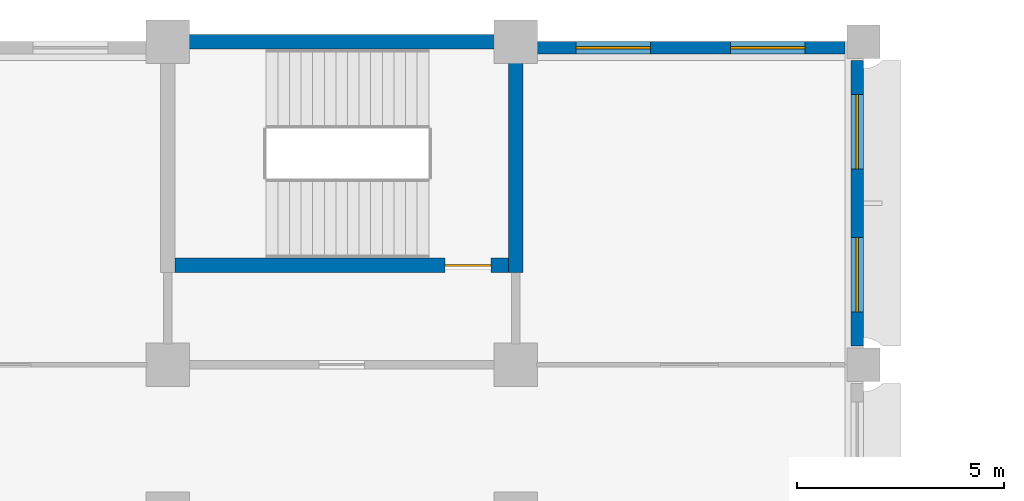
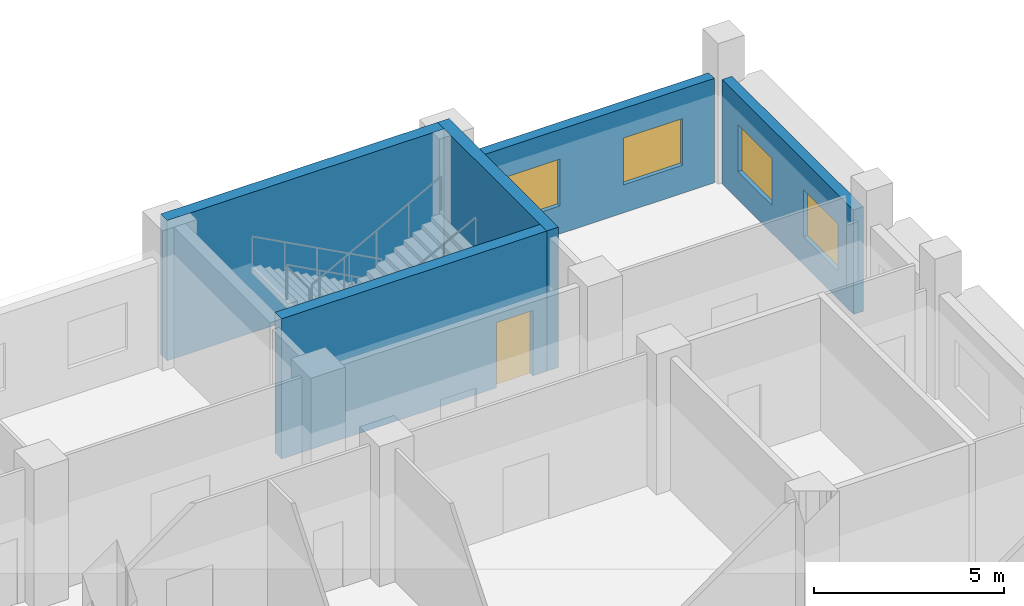
# One storey, part 92 of 136: 5 walls, 4 windows, 1 door, 5 openings.
"""IFC4 building model written with IfcOpenShell, lengths in metres."""

from ifc_helpers import new_model, si_unit, direction, frame, frame_2d, origin, place, context, subcontext, project, spatial, rectangle, extrude, material, layer, layer_set, type_object, element, fill, save


model = new_model("IFC4")

# Units and contexts
model_context = context("Model", 3, precision=1e-05, world=origin(), true_north=direction((0.0, 1.0)))
body_context = subcontext(model_context, "Body", "Model", "MODEL_VIEW")
ifc_project = project(units=[si_unit("LENGTHUNIT", "METRE"), si_unit("AREAUNIT", "SQUARE_METRE"), si_unit("VOLUMEUNIT", "CUBIC_METRE"), si_unit("PLANEANGLEUNIT", "RADIAN"), si_unit("MASSUNIT", "GRAM", prefix="KILO")], contexts=[model_context])

# Site, building, storey
site_placement = place(None, origin())
site = spatial("IfcSite", under=ifc_project, at=site_placement, CompositionType="ELEMENT")
building_placement = place(site_placement, origin())
building = spatial("IfcBuilding", under=site, at=building_placement, Name="Bougainvillea Quay General Hospital", CompositionType="ELEMENT")
storey_placement = place(building_placement, frame((0.0, 0.0, 5.39990234375)))
storey = spatial("IfcBuildingStorey", under=building, at=storey_placement, Name="L01", CompositionType="ELEMENT", Elevation=5.39990234375)

# Wall, openings, windows
ifc_material_1 = material(Name="Pale stone rainscreen cladding on insulated masonry backing, pale stone", Category="masonry")
ifc_layer_1 = layer(ifc_material_1, 0.300048828125)
ifc_layer_set_1 = layer_set([ifc_layer_1], Name="Pale stone rainscreen cladding on insulated masonry backing, pale stone")
wall_type_1 = type_object("IfcWallType", Name="External wall pale stone rainscreen 300", PredefinedType="STANDARD", material=ifc_layer_set_1)
wall_1_placement = place(storey_placement, frame((193.050048828125, 152.25, 0.0), z_axis=(0.0, 0.0, 1.0), x_axis=(0.0, 1.0, 0.0)))
wall_1 = element("IfcWall", 1, at=wall_1_placement, inside=storey, type_object=wall_type_1, Name="External wall wall/V4/L01/p0/00g", PredefinedType="STANDARD", context=body_context, shape_type="SweptSolid", body=[
    extrude(rectangle(XDim=6.89990234375, YDim=0.300048828125, at=frame_2d((3.449951171875, 0.0))), origin(), (0.0, 0.0, 1.0), 3.35009765625),
])
opening_1_placement = place(wall_1_placement, frame((0.824951171875, 0.0, 0.89990234375)))
opening_1 = element("IfcOpeningElement", 2, at=opening_1_placement, cuts=wall_1, Name="Opening W1", PredefinedType="OPENING", context=body_context, shape_type="SweptSolid", body=[
    extrude(rectangle(XDim=1.800048828125, YDim=1.5, at=frame_2d((0.89990234375, 0.75))), frame((0.0, 0.159912109375, 0.0), z_axis=(0.0, -1.0, 0.0), x_axis=(1.0, 0.0, 0.0)), (0.0, 0.0, 1.0), 0.320068359375),
])
opening_2_placement = place(wall_1_placement, frame((4.27490234375, 0.0, 0.89990234375)))
opening_2 = element("IfcOpeningElement", 3, at=opening_2_placement, cuts=wall_1, Name="Opening W1", PredefinedType="OPENING", context=body_context, shape_type="SweptSolid", body=[
    extrude(rectangle(XDim=1.800048828125, YDim=1.5, at=frame_2d((0.89990234375, 0.75))), frame((0.0, 0.159912109375, 0.0), z_axis=(0.0, -1.0, 0.0), x_axis=(1.0, 0.0, 0.0)), (0.0, 0.0, 1.0), 0.320068359375),
])
ifc_material_2 = material(Name="Aluminium window frame with low-e double glazed unit", Category="aluminium")
window_type = type_object("IfcWindowType", Name="Window W1 1800x1500", PartitioningType="DOUBLE_PANEL_VERTICAL", PredefinedType="WINDOW", material=ifc_material_2)
window_1_placement = place(opening_1_placement, origin())
window_1 = element("IfcWindow", 4, at=window_1_placement, inside=storey, type_object=window_type, Name="Window W1 1", OverallHeight=1.5, OverallWidth=1.800048828125, PartitioningType="SINGLE_PANEL", PredefinedType="WINDOW", context=body_context, shape_type="SweptSolid", body=[
    extrude(rectangle(XDim=1.800048828125, YDim=1.5, at=frame_2d((0.89990234375, 0.75))), frame((0.0, 0.030029296875, 0.0), z_axis=(0.0, -1.0, 0.0), x_axis=(1.0, 0.0, 0.0)), (0.0, 0.0, 1.0), 0.06005859375),
])
fill(opening_1, window_1)
window_2_placement = place(opening_2_placement, origin())
window_2 = element("IfcWindow", 5, at=window_2_placement, inside=storey, type_object=window_type, Name="Window W1 2", OverallHeight=1.5, OverallWidth=1.800048828125, PartitioningType="SINGLE_PANEL", PredefinedType="WINDOW", context=body_context, shape_type="SweptSolid", body=[
    extrude(rectangle(XDim=1.800048828125, YDim=1.5, at=frame_2d((0.89990234375, 0.75))), frame((0.0, 0.030029296875, 0.0), z_axis=(0.0, -1.0, 0.0), x_axis=(1.0, 0.0, 0.0)), (0.0, 0.0, 1.0), 0.06005859375),
])
fill(opening_2, window_2)

wall_2_placement = place(storey_placement, frame((192.75, 159.449951171875, 0.0), z_axis=(0.0, 0.0, 1.0), x_axis=(-1.0, 0.0, 0.0)))
wall_2 = element("IfcWall", 6, at=wall_2_placement, inside=storey, type_object=wall_type_1, Name="External wall wall/V4/L01/p0/01a", PredefinedType="STANDARD", context=body_context, shape_type="SweptSolid", body=[
    extrude(rectangle(XDim=7.449951171875, YDim=0.300048828125, at=frame_2d((3.72509765625, 0.0))), origin(), (0.0, 0.0, 1.0), 3.35009765625),
])
opening_3_placement = place(wall_2_placement, frame((0.96240234375, 0.0, 0.89990234375)))
opening_3 = element("IfcOpeningElement", 7, at=opening_3_placement, cuts=wall_2, Name="Opening W1", PredefinedType="OPENING", context=body_context, shape_type="SweptSolid", body=[
    extrude(rectangle(XDim=1.800048828125, YDim=1.5, at=frame_2d((0.89990234375, 0.75))), frame((0.0, 0.159912109375, 0.0), z_axis=(0.0, -1.0, 0.0), x_axis=(1.0, 0.0, 0.0)), (0.0, 0.0, 1.0), 0.320068359375),
])
opening_4_placement = place(wall_2_placement, frame((4.6875, 0.0, 0.89990234375)))
opening_4 = element("IfcOpeningElement", 8, at=opening_4_placement, cuts=wall_2, Name="Opening W1", PredefinedType="OPENING", context=body_context, shape_type="SweptSolid", body=[
    extrude(rectangle(XDim=1.800048828125, YDim=1.5, at=frame_2d((0.89990234375, 0.75))), frame((0.0, 0.159912109375, 0.0), z_axis=(0.0, -1.0, 0.0), x_axis=(1.0, 0.0, 0.0)), (0.0, 0.0, 1.0), 0.320068359375),
])
window_3_placement = place(opening_3_placement, origin())
window_3 = element("IfcWindow", 9, at=window_3_placement, inside=storey, type_object=window_type, Name="Window W1 1", OverallHeight=1.5, OverallWidth=1.800048828125, PartitioningType="SINGLE_PANEL", PredefinedType="WINDOW", context=body_context, shape_type="SweptSolid", body=[
    extrude(rectangle(XDim=1.800048828125, YDim=1.5, at=frame_2d((0.89990234375, 0.75))), frame((0.0, 0.030029296875, 0.0), z_axis=(0.0, -1.0, 0.0), x_axis=(1.0, 0.0, 0.0)), (0.0, 0.0, 1.0), 0.06005859375),
])
fill(opening_3, window_3)
window_4_placement = place(opening_4_placement, origin())
window_4 = element("IfcWindow", 10, at=window_4_placement, inside=storey, type_object=window_type, Name="Window W1 2", OverallHeight=1.5, OverallWidth=1.800048828125, PartitioningType="SINGLE_PANEL", PredefinedType="WINDOW", context=body_context, shape_type="SweptSolid", body=[
    extrude(rectangle(XDim=1.800048828125, YDim=1.5, at=frame_2d((0.89990234375, 0.75))), frame((0.0, 0.030029296875, 0.0), z_axis=(0.0, -1.0, 0.0), x_axis=(1.0, 0.0, 0.0)), (0.0, 0.0, 1.0), 0.06005859375),
])
fill(opening_4, window_4)

# Wall
ifc_material_3 = material(Name="Concrete C40", Category="concrete")
ifc_layer_2 = layer(ifc_material_3, 0.35009765625)
ifc_layer_set_2 = layer_set([ifc_layer_2], Name="Concrete C40")
wall_type_2 = type_object("IfcWallType", Name="RC SHEAR WALL 350 C40", PredefinedType="SHEAR", material=ifc_layer_set_2)
wall_3_placement = place(storey_placement, frame((176.22509765625, 159.60009765625, 0.0), z_axis=(0.0, 0.0, 1.0), x_axis=(1.0, 0.0, 0.0)))
element("IfcWall", 11, at=wall_3_placement, inside=storey, type_object=wall_type_2, Name="Shear wall L01", PredefinedType="SHEAR", context=body_context, shape_type="SweptSolid", body=[
    extrude(rectangle(XDim=8.39990234375, YDim=0.35009765625, at=frame_2d((4.199951171875, 0.0))), origin(), (0.0, 0.0, 1.0), 4.5),
])

# Wall, opening, door
wall_4_placement = place(storey_placement, frame((176.574951171875, 154.199951171875, 0.0), z_axis=(0.0, 0.0, 1.0), x_axis=(1.0, 0.0, 0.0)))
wall_4 = element("IfcWall", 12, at=wall_4_placement, inside=storey, type_object=wall_type_2, Name="Shear wall L01", PredefinedType="SHEAR", context=body_context, shape_type="SweptSolid", body=[
    extrude(rectangle(XDim=8.050048828125, YDim=0.35009765625, at=frame_2d((4.02490234375, 0.0))), origin(), (0.0, 0.0, 1.0), 4.5),
])
opening_5_placement = place(wall_4_placement, frame((6.52490234375, 0.0, 0.0)))
opening_5 = element("IfcOpeningElement", 13, at=opening_5_placement, cuts=wall_4, Name="Opening L01.022", PredefinedType="OPENING", context=body_context, shape_type="SweptSolid", body=[
    extrude(rectangle(XDim=1.10009765625, YDim=2.10009765625, at=frame_2d((0.550048828125, 1.050048828125))), frame((0.0, 0.18505859375, 0.0), z_axis=(0.0, -1.0, 0.0), x_axis=(1.0, 0.0, 0.0)), (0.0, 0.0, 1.0), 0.3701171875),
])
ifc_material_4 = material(Name="Steel fire door leaf in steel frame", Category="steel")
door_type = type_object("IfcDoorType", Name="Steel single leaf door 1100x2100 FD60", OperationType="NOTDEFINED", PredefinedType="DOOR", material=ifc_material_4)
door_placement = place(opening_5_placement, origin())
door = element("IfcDoor", 14, at=door_placement, inside=storey, type_object=door_type, Name="DT04 L01.022", OperationType="SINGLE_SWING_RIGHT", OverallHeight=2.10009765625, OverallWidth=1.10009765625, PredefinedType="DOOR", context=body_context, shape_type="SweptSolid", body=[
    extrude(rectangle(XDim=1.10009765625, YDim=2.10009765625, at=frame_2d((0.550048828125, 1.050048828125))), frame((0.0, 0.02490234375, 0.0), z_axis=(0.0, -1.0, 0.0), x_axis=(1.0, 0.0, 0.0)), (0.0, 0.0, 1.0), 0.050048828125),
])
fill(opening_5, door)

# Wall
wall_5_placement = place(storey_placement, frame((184.800048828125, 154.02490234375, 0.0), z_axis=(0.0, 0.0, 1.0), x_axis=(0.0, 1.0, 0.0)))
element("IfcWall", 15, at=wall_5_placement, inside=storey, type_object=wall_type_2, Name="Shear wall L01", PredefinedType="SHEAR", context=body_context, shape_type="SweptSolid", body=[
    extrude(rectangle(XDim=5.75, YDim=0.35009765625, at=frame_2d((2.875, 0.0))), origin(), (0.0, 0.0, 1.0), 4.5),
])

save(model, "model.ifc")
